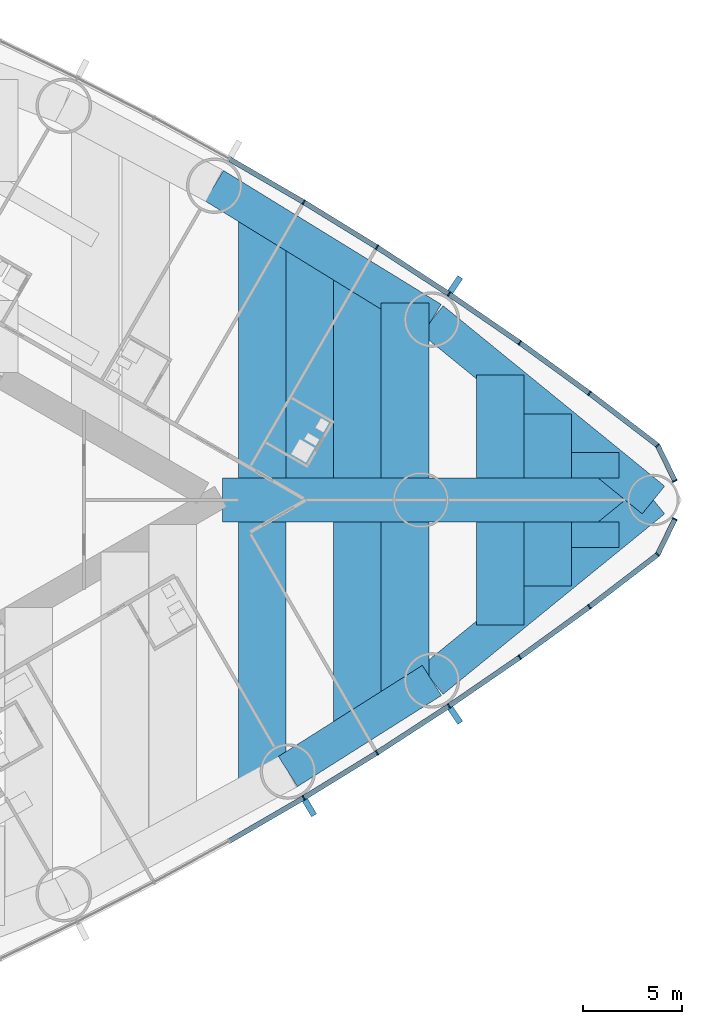
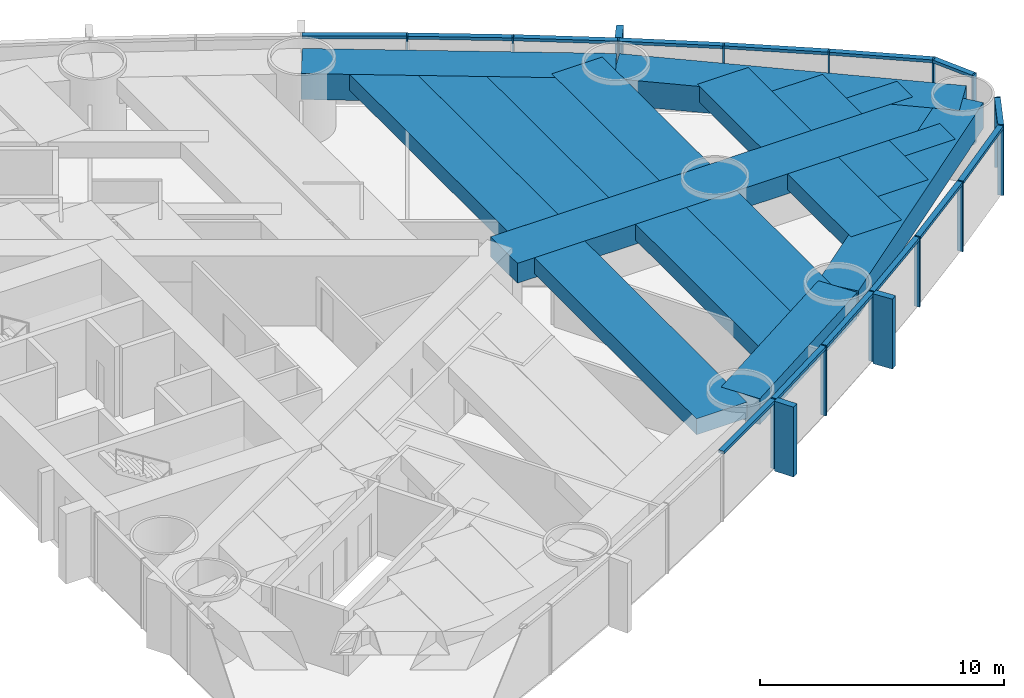
# One storey, part 8 of 19: 31 members, 18 beams, 2 elements without a shape of their own.
"""IFC4 building model written with IfcOpenShell, lengths in metres."""

from ifc_helpers import new_model, si_unit, direction, frame, origin, origin_2d, place, context, subcontext, project, spatial, rectangle, extrude, material, material_profile, profile_set, type_object, element, aggregate, save


model = new_model("IFC4")

# Units and contexts
model_context = context("Model", 3, precision=1e-05, world=origin(), true_north=direction((0.0, 1.0)))
body_context = subcontext(model_context, "Body", "Model", "MODEL_VIEW")
ifc_project = project(units=[si_unit("LENGTHUNIT", "METRE"), si_unit("AREAUNIT", "SQUARE_METRE"), si_unit("VOLUMEUNIT", "CUBIC_METRE"), si_unit("PLANEANGLEUNIT", "RADIAN"), si_unit("MASSUNIT", "GRAM", prefix="KILO")], contexts=[model_context])

# Site, building, storey
site_placement = place(None, origin())
site = spatial("IfcSite", under=ifc_project, at=site_placement, CompositionType="ELEMENT")
building_placement = place(site_placement, origin())
building = spatial("IfcBuilding", under=site, at=building_placement, Name="Lancet Gate Hotel", CompositionType="ELEMENT")
storey_placement = place(building_placement, frame((0.0, 0.0, 70.5)))
storey = spatial("IfcBuildingStorey", under=building, at=storey_placement, Name="L18", CompositionType="ELEMENT", Elevation=70.5)

# Curtain wall, members
ifc_material_1 = material(Name="Aluminium curtain wall", Category="aluminium")
curtain_wall_type = type_object("IfcCurtainWallType", Name="Tower unitised curtain wall", PredefinedType="USERDEFINED", material=ifc_material_1)
curtain_wall_1_placement = place(storey_placement, origin())
curtain_wall_1 = element("IfcCurtainWall", 1, at=curtain_wall_1_placement, inside=storey, type_object=curtain_wall_type, Name="T2 L18 curtain wall 2", ObjectType="UNITISED CURTAIN WALL", PredefinedType="USERDEFINED")
ifc_material_2 = material(Name="Aluminium mullion", Category="aluminium")
ifc_material_profile_1 = material_profile(ifc_material_2, rectangle(XDim=0.06494140625, YDim=0.25, at=origin_2d()), Name="MULLION 65x250")
ifc_profile_set_1 = profile_set([ifc_material_profile_1], Name="Aluminium mullion")
member_type_1 = type_object("IfcMemberType", Name="Aluminium mullion 65x250", PredefinedType="MULLION", material=ifc_profile_set_1)
member_1_placement = place(storey_placement, frame((55.590087890625, -15.03125, 0.0), z_axis=(0.0, 0.0, 1.0), x_axis=(0.858413008828, 0.512959166284, 0.0)))
member_1 = element("IfcMember", 2, at=member_1_placement, type_object=member_type_1, Name="T2 L18 curtain wall 2 mullion 8", PredefinedType="MULLION", context=body_context, shape_type="SweptSolid", body=[
    extrude(rectangle(XDim=0.06494140625, YDim=0.25, at=origin_2d()), origin(), (0.0, 0.0, 1.0), 3.5),
])
member_2_placement = place(storey_placement, frame((59.28515625, -12.7587890625, 0.0), z_axis=(0.0, 0.0, 1.0), x_axis=(0.845079420983, 0.534640788035, 0.0)))
member_2 = element("IfcMember", 3, at=member_2_placement, type_object=member_type_1, Name="T2 L18 curtain wall 2 mullion 9", PredefinedType="MULLION", context=body_context, shape_type="SweptSolid", body=[
    extrude(rectangle(XDim=0.06494140625, YDim=0.25, at=origin_2d()), origin(), (0.0, 0.0, 1.0), 3.5),
])
member_3_placement = place(storey_placement, frame((62.921142578125, -10.393310546875, 0.0), z_axis=(0.0, 0.0, 1.0), x_axis=(0.831198325377, 0.555976028162, 0.0)))
member_3 = element("IfcMember", 4, at=member_3_placement, type_object=member_type_1, Name="T2 L18 curtain wall 2 mullion 10", PredefinedType="MULLION", context=body_context, shape_type="SweptSolid", body=[
    extrude(rectangle(XDim=0.06494140625, YDim=0.25, at=origin_2d()), origin(), (0.0, 0.0, 1.0), 3.5),
])
member_4_placement = place(storey_placement, frame((66.49560546875, -7.935791015625, 0.0), z_axis=(0.0, 0.0, 1.0), x_axis=(0.816778715254, 0.576951064049, 0.0)))
member_4 = element("IfcMember", 5, at=member_4_placement, type_object=member_type_1, Name="T2 L18 curtain wall 2 mullion 11", PredefinedType="MULLION", context=body_context, shape_type="SweptSolid", body=[
    extrude(rectangle(XDim=0.06494140625, YDim=0.25, at=origin_2d()), origin(), (0.0, 0.0, 1.0), 3.5),
])
member_5_placement = place(storey_placement, frame((70.00634765625, -5.388427734375, 0.0), z_axis=(0.0, 0.0, 1.0), x_axis=(0.801829932754, 0.597552306447, 0.0)))
member_5 = element("IfcMember", 6, at=member_5_placement, type_object=member_type_1, Name="T2 L18 curtain wall 2 mullion 12", PredefinedType="MULLION", context=body_context, shape_type="SweptSolid", body=[
    extrude(rectangle(XDim=0.06494140625, YDim=0.25, at=origin_2d()), origin(), (0.0, 0.0, 1.0), 3.5),
])
member_6_placement = place(storey_placement, frame((73.451416015625, -2.752197265625, 0.0), z_axis=(0.0, 0.0, 1.0), x_axis=(0.697983022443, 0.716114306784, 0.0)))
member_6 = element("IfcMember", 7, at=member_6_placement, type_object=member_type_1, Name="T2 L18 curtain wall 2 mullion 13", PredefinedType="MULLION", context=body_context, shape_type="SweptSolid", body=[
    extrude(rectangle(XDim=0.06494140625, YDim=0.25, at=origin_2d()), origin(), (0.0, 0.0, 1.0), 3.5),
])
member_7_placement = place(storey_placement, frame((74.322265625, -0.96044921875, 0.0), z_axis=(0.0, 0.0, 1.0), x_axis=(0.437169070119, 0.899379343843, 0.0)))
member_7 = element("IfcMember", 8, at=member_7_placement, type_object=member_type_1, Name="T2 L18 curtain wall 2 mullion 14", PredefinedType="MULLION", context=body_context, shape_type="SweptSolid", body=[
    extrude(rectangle(XDim=0.06494140625, YDim=0.25, at=origin_2d()), origin(), (0.0, 0.0, 1.0), 3.5),
])

curtain_wall_2_placement = place(storey_placement, origin())
curtain_wall_2 = element("IfcCurtainWall", 9, at=curtain_wall_2_placement, inside=storey, type_object=curtain_wall_type, Name="T2 L18 curtain wall 3", ObjectType="UNITISED CURTAIN WALL", PredefinedType="USERDEFINED")
member_8_placement = place(storey_placement, frame((74.322265625, 0.96044921875, 0.0), z_axis=(0.0, 0.0, 1.0), x_axis=(-0.437169070119, 0.899379343843, 0.0)))
member_8 = element("IfcMember", 10, at=member_8_placement, type_object=member_type_1, Name="T2 L18 curtain wall 3 mullion 1", PredefinedType="MULLION", context=body_context, shape_type="SweptSolid", body=[
    extrude(rectangle(XDim=0.06494140625, YDim=0.25, at=origin_2d()), origin(), (0.0, 0.0, 1.0), 3.5),
])
member_9_placement = place(storey_placement, frame((73.451416015625, 2.752197265625, 0.0), z_axis=(0.0, 0.0, 1.0), x_axis=(-0.697983022443, 0.716114306784, 0.0)))
member_9 = element("IfcMember", 11, at=member_9_placement, type_object=member_type_1, Name="T2 L18 curtain wall 3 mullion 2", PredefinedType="MULLION", context=body_context, shape_type="SweptSolid", body=[
    extrude(rectangle(XDim=0.06494140625, YDim=0.25, at=origin_2d()), origin(), (0.0, 0.0, 1.0), 3.5),
])
member_10_placement = place(storey_placement, frame((70.00634765625, 5.388427734375, 0.0), z_axis=(0.0, 0.0, 1.0), x_axis=(-0.801829932754, 0.597552306447, 0.0)))
member_10 = element("IfcMember", 12, at=member_10_placement, type_object=member_type_1, Name="T2 L18 curtain wall 3 mullion 3", PredefinedType="MULLION", context=body_context, shape_type="SweptSolid", body=[
    extrude(rectangle(XDim=0.06494140625, YDim=0.25, at=origin_2d()), origin(), (0.0, 0.0, 1.0), 3.5),
])
member_11_placement = place(storey_placement, frame((66.49560546875, 7.935791015625, 0.0), z_axis=(0.0, 0.0, 1.0), x_axis=(-0.816778715254, 0.576951064049, 0.0)))
member_11 = element("IfcMember", 13, at=member_11_placement, type_object=member_type_1, Name="T2 L18 curtain wall 3 mullion 4", PredefinedType="MULLION", context=body_context, shape_type="SweptSolid", body=[
    extrude(rectangle(XDim=0.06494140625, YDim=0.25, at=origin_2d()), origin(), (0.0, 0.0, 1.0), 3.5),
])
member_12_placement = place(storey_placement, frame((62.921142578125, 10.393310546875, 0.0), z_axis=(0.0, 0.0, 1.0), x_axis=(-0.831198325377, 0.555976028162, 0.0)))
member_12 = element("IfcMember", 14, at=member_12_placement, type_object=member_type_1, Name="T2 L18 curtain wall 3 mullion 5", PredefinedType="MULLION", context=body_context, shape_type="SweptSolid", body=[
    extrude(rectangle(XDim=0.06494140625, YDim=0.25, at=origin_2d()), origin(), (0.0, 0.0, 1.0), 3.5),
])
member_13_placement = place(storey_placement, frame((59.28515625, 12.7587890625, 0.0), z_axis=(0.0, 0.0, 1.0), x_axis=(-0.845079420983, 0.534640788035, 0.0)))
member_13 = element("IfcMember", 15, at=member_13_placement, type_object=member_type_1, Name="T2 L18 curtain wall 3 mullion 6", PredefinedType="MULLION", context=body_context, shape_type="SweptSolid", body=[
    extrude(rectangle(XDim=0.06494140625, YDim=0.25, at=origin_2d()), origin(), (0.0, 0.0, 1.0), 3.5),
])
member_14_placement = place(storey_placement, frame((55.590087890625, 15.03125, 0.0), z_axis=(0.0, 0.0, 1.0), x_axis=(-0.858413008828, 0.512959166284, 0.0)))
member_14 = element("IfcMember", 16, at=member_14_placement, type_object=member_type_1, Name="T2 L18 curtain wall 3 mullion 7", PredefinedType="MULLION", context=body_context, shape_type="SweptSolid", body=[
    extrude(rectangle(XDim=0.06494140625, YDim=0.25, at=origin_2d()), origin(), (0.0, 0.0, 1.0), 3.5),
])

# Member
ifc_material_3 = material(Name="Aluminium transom", Category="aluminium")
ifc_material_profile_2 = material_profile(ifc_material_3, rectangle(XDim=0.25, YDim=0.14990234375, at=origin_2d()), Name="TRANSOM 250x150")
ifc_profile_set_2 = profile_set([ifc_material_profile_2], Name="Aluminium transom")
member_type_2 = type_object("IfcMemberType", Name="Aluminium transom 250x150", PredefinedType="USERDEFINED", material=ifc_profile_set_2)
member_15_placement = place(storey_placement, frame((51.86669921875, -17.1923828125, 3.425048828125), z_axis=(0.864854571156, 0.502022480324, 0.0), x_axis=(-0.502022480324, 0.864854571156, 0.0)))
member_15 = element("IfcMember", 17, at=member_15_placement, type_object=member_type_2, Name="T2 L18 curtain wall 2 transom 7", ObjectType="TRANSOM", PredefinedType="USERDEFINED", context=body_context, shape_type="SweptSolid", body=[
    extrude(rectangle(XDim=0.25, YDim=0.14990234375, at=origin_2d()), origin(), (0.0, 0.0, 1.0), 4.272705078125),
])

member_16_placement = place(storey_placement, frame((55.617919921875, -15.01416015625, 3.425048828125), z_axis=(0.851815224451, 0.523842365023, 0.0), x_axis=(-0.523842365023, 0.851815224451, 0.0)))
member_16 = element("IfcMember", 18, at=member_16_placement, type_object=member_type_2, Name="T2 L18 curtain wall 2 transom 8", ObjectType="TRANSOM", PredefinedType="USERDEFINED", context=body_context, shape_type="SweptSolid", body=[
    extrude(rectangle(XDim=0.25, YDim=0.14990234375, at=origin_2d()), origin(), (0.0, 0.0, 1.0), 4.272705078125),
])

member_17_placement = place(storey_placement, frame((59.3125, -12.7412109375, 3.425048828125), z_axis=(0.83817850664, 0.545395994674, 0.0), x_axis=(-0.545395994674, 0.83817850664, 0.0)))
member_17 = element("IfcMember", 19, at=member_17_placement, type_object=member_type_2, Name="T2 L18 curtain wall 2 transom 9", ObjectType="TRANSOM", PredefinedType="USERDEFINED", context=body_context, shape_type="SweptSolid", body=[
    extrude(rectangle(XDim=0.25, YDim=0.14990234375, at=origin_2d()), origin(), (0.0, 0.0, 1.0), 4.272705078125),
])

member_18_placement = place(storey_placement, frame((62.94775390625, -10.374755859375, 3.425048828125), z_axis=(0.824071932869, 0.566485171437, 0.0), x_axis=(-0.566485171437, 0.824071932869, 0.0)))
member_18 = element("IfcMember", 20, at=member_18_placement, type_object=member_type_2, Name="T2 L18 curtain wall 2 transom 10", ObjectType="TRANSOM", PredefinedType="USERDEFINED", context=body_context, shape_type="SweptSolid", body=[
    extrude(rectangle(XDim=0.25, YDim=0.14990234375, at=origin_2d()), origin(), (0.0, 0.0, 1.0), 4.272705078125),
])

member_19_placement = place(storey_placement, frame((66.52197265625, -7.916748046875, 3.425048828125), z_axis=(0.809382971085, 0.587281198505, 0.0), x_axis=(-0.587281198505, 0.809382971085, 0.0)))
member_19 = element("IfcMember", 21, at=member_19_placement, type_object=member_type_2, Name="T2 L18 curtain wall 2 transom 11", ObjectType="TRANSOM", PredefinedType="USERDEFINED", context=body_context, shape_type="SweptSolid", body=[
    extrude(rectangle(XDim=0.25, YDim=0.14990234375, at=origin_2d()), origin(), (0.0, 0.0, 1.0), 4.272705078125),
])

member_20_placement = place(storey_placement, frame((70.0322265625, -5.36865234375, 3.425048828125), z_axis=(0.794155062652, 0.607715177089, 0.0), x_axis=(-0.607715177089, 0.794155062652, 0.0)))
member_20 = element("IfcMember", 22, at=member_20_placement, type_object=member_type_2, Name="T2 L18 curtain wall 2 transom 12", ObjectType="TRANSOM", PredefinedType="USERDEFINED", context=body_context, shape_type="SweptSolid", body=[
    extrude(rectangle(XDim=0.25, YDim=0.14990234375, at=origin_2d()), origin(), (0.0, 0.0, 1.0), 4.27294921875),
])

member_21_placement = place(storey_placement, frame((73.465576171875, -2.72314453125, 3.425048828125), z_axis=(0.437103060611, 0.899411426659, 0.0), x_axis=(-0.899411426659, 0.437103060611, 0.0)))
member_21 = element("IfcMember", 23, at=member_21_placement, type_object=member_type_2, Name="T2 L18 curtain wall 2 transom 13", ObjectType="TRANSOM", PredefinedType="USERDEFINED", context=body_context, shape_type="SweptSolid", body=[
    extrude(rectangle(XDim=0.25, YDim=0.14990234375, at=origin_2d()), origin(), (0.0, 0.0, 1.0), 1.927490234375),
])

member_22_placement = place(storey_placement, frame((74.30810546875, 0.989501953125, 3.425048828125), z_axis=(-0.437103060611, 0.899411426659, 0.0), x_axis=(-0.899411426659, -0.437103060611, 0.0)))
member_22 = element("IfcMember", 24, at=member_22_placement, type_object=member_type_2, Name="T2 L18 curtain wall 3 transom 1", ObjectType="TRANSOM", PredefinedType="USERDEFINED", context=body_context, shape_type="SweptSolid", body=[
    extrude(rectangle(XDim=0.25, YDim=0.14990234375, at=origin_2d()), origin(), (0.0, 0.0, 1.0), 1.927490234375),
])

member_23_placement = place(storey_placement, frame((73.425537109375, 2.77197265625, 3.425048828125), z_axis=(-0.794155062652, 0.607715177089, 0.0), x_axis=(-0.607715177089, -0.794155062652, 0.0)))
member_23 = element("IfcMember", 25, at=member_23_placement, type_object=member_type_2, Name="T2 L18 curtain wall 3 transom 2", ObjectType="TRANSOM", PredefinedType="USERDEFINED", context=body_context, shape_type="SweptSolid", body=[
    extrude(rectangle(XDim=0.25, YDim=0.14990234375, at=origin_2d()), origin(), (0.0, 0.0, 1.0), 4.27294921875),
])

member_24_placement = place(storey_placement, frame((69.980224609375, 5.407470703125, 3.425048828125), z_axis=(-0.809382971085, 0.587281198505, 0.0), x_axis=(-0.587281198505, -0.809382971085, 0.0)))
member_24 = element("IfcMember", 26, at=member_24_placement, type_object=member_type_2, Name="T2 L18 curtain wall 3 transom 3", ObjectType="TRANSOM", PredefinedType="USERDEFINED", context=body_context, shape_type="SweptSolid", body=[
    extrude(rectangle(XDim=0.25, YDim=0.14990234375, at=origin_2d()), origin(), (0.0, 0.0, 1.0), 4.272705078125),
])

member_25_placement = place(storey_placement, frame((66.46875, 7.954345703125, 3.425048828125), z_axis=(-0.824071932869, 0.566485171437, 0.0), x_axis=(-0.566485171437, -0.824071932869, 0.0)))
member_25 = element("IfcMember", 27, at=member_25_placement, type_object=member_type_2, Name="T2 L18 curtain wall 3 transom 4", ObjectType="TRANSOM", PredefinedType="USERDEFINED", context=body_context, shape_type="SweptSolid", body=[
    extrude(rectangle(XDim=0.25, YDim=0.14990234375, at=origin_2d()), origin(), (0.0, 0.0, 1.0), 4.272705078125),
])

member_26_placement = place(storey_placement, frame((62.893798828125, 10.410888671875, 3.425048828125), z_axis=(-0.83817850664, 0.545395994674, 0.0), x_axis=(-0.545395994674, -0.83817850664, 0.0)))
member_26 = element("IfcMember", 28, at=member_26_placement, type_object=member_type_2, Name="T2 L18 curtain wall 3 transom 5", ObjectType="TRANSOM", PredefinedType="USERDEFINED", context=body_context, shape_type="SweptSolid", body=[
    extrude(rectangle(XDim=0.25, YDim=0.14990234375, at=origin_2d()), origin(), (0.0, 0.0, 1.0), 4.272705078125),
])

member_27_placement = place(storey_placement, frame((59.257568359375, 12.77587890625, 3.425048828125), z_axis=(-0.851815224451, 0.523842365023, 0.0), x_axis=(-0.523842365023, -0.851815224451, 0.0)))
member_27 = element("IfcMember", 29, at=member_27_placement, type_object=member_type_2, Name="T2 L18 curtain wall 3 transom 6", ObjectType="TRANSOM", PredefinedType="USERDEFINED", context=body_context, shape_type="SweptSolid", body=[
    extrude(rectangle(XDim=0.25, YDim=0.14990234375, at=origin_2d()), origin(), (0.0, 0.0, 1.0), 4.272705078125),
])

member_28_placement = place(storey_placement, frame((55.56201171875, 15.04736328125, 3.425048828125), z_axis=(-0.864854571156, 0.502022480324, 0.0), x_axis=(-0.502022480324, -0.864854571156, 0.0)))
member_28 = element("IfcMember", 30, at=member_28_placement, type_object=member_type_2, Name="T2 L18 curtain wall 3 transom 7", ObjectType="TRANSOM", PredefinedType="USERDEFINED", context=body_context, shape_type="SweptSolid", body=[
    extrude(rectangle(XDim=0.25, YDim=0.14990234375, at=origin_2d()), origin(), (0.0, 0.0, 1.0), 4.272705078125),
])

# Beams
ifc_material_4 = material(Name="Concrete C50/60", Category="concrete")
ifc_material_profile_3 = material_profile(ifc_material_4, rectangle(XDim=1.800048828125, YDim=1.300048828125, at=origin_2d()), Name="RC 1800x1300")
ifc_profile_set_3 = profile_set([ifc_material_profile_3], Name="Concrete C50/60")
beam_type_1 = type_object("IfcBeamType", Name="Edge beam RC 1800x1300", PredefinedType="SPANDREL", material=ifc_profile_set_3)
beam_1_placement = place(storey_placement, frame((54.795166015625, -13.70068359375, 2.60009765625), z_axis=(0.845078312276, 0.534642540508, 0.0), x_axis=(-0.534642540508, 0.845078312276, 0.0)))
element("IfcBeam", 31, at=beam_1_placement, inside=storey, type_object=beam_type_1, Name="T2 edge beam EB1 L18", PredefinedType="SPANDREL", context=body_context, shape_type="SweptSolid", body=[
    extrude(rectangle(XDim=1.800048828125, YDim=1.300048828125, at=origin_2d()), origin(), (0.0, 0.0, 1.0), 8.595947265625),
])
for number, where, z_axis, x_axis, name in (
    (32, (62.059326171875, -9.10498046875, 2.60009765625), (0.775390970005, 0.631481467372, 0.0), (-0.631481467372, 0.775390970005, 0.0), "T2 edge beam EB1 L18"),
    (33, (73.2392578125, 0.0, 2.60009765625), (-0.775390970005, 0.631481467372, 0.0), (-0.631481467372, -0.775390970005, 0.0), "T2 edge beam EB1 L18"),
):
    element("IfcBeam", number, at=place(storey_placement, frame(where, z_axis=z_axis, x_axis=x_axis)), inside=storey, type_object=beam_type_1, Name=name, PredefinedType="SPANDREL", context=body_context, shape_type="SweptSolid", body=[
        extrude(rectangle(XDim=1.800048828125, YDim=1.300048828125, at=origin_2d()), origin(), (0.0, 0.0, 1.0), 14.41845703125),
    ])
beam_2_placement = place(storey_placement, frame((62.059326171875, 9.10498046875, 2.60009765625), z_axis=(-0.851815628025, 0.523841708775, 0.0), x_axis=(-0.523841708775, -0.851815628025, 0.0)))
element("IfcBeam", 34, at=beam_2_placement, inside=storey, type_object=beam_type_1, Name="T2 edge beam EB1 L18", PredefinedType="SPANDREL", context=body_context, shape_type="SweptSolid", body=[
    extrude(rectangle(XDim=1.800048828125, YDim=1.300048828125, at=origin_2d()), origin(), (0.0, 0.0, 1.0), 12.89208984375),
])

# Member
ifc_material_5 = material(Name="Precast concrete C50/60", Category="concrete")
ifc_material_profile_4 = material_profile(ifc_material_5, rectangle(XDim=0.300048828125, YDim=0.89990234375, at=origin_2d()), Name="FIN 300x900")
ifc_profile_set_4 = profile_set([ifc_material_profile_4], Name="Precast concrete C50/60")
member_type_3 = type_object("IfcMemberType", Name="Exposed concrete fin 300x900", PredefinedType="USERDEFINED", material=ifc_profile_set_4)
member_29_placement = place(storey_placement, frame((55.88525390625, -15.524658203125, 0.0), z_axis=(0.0, 0.0, 1.0), x_axis=(0.858413008828, 0.512959166284, 0.0)))
member_29 = element("IfcMember", 35, at=member_29_placement, type_object=member_type_3, Name="T2 L18 curtain wall 2 fin 8", ObjectType="FIN", PredefinedType="USERDEFINED", context=body_context, shape_type="SweptSolid", body=[
    extrude(rectangle(XDim=0.300048828125, YDim=0.89990234375, at=origin_2d()), origin(), (0.0, 0.0, 1.0), 3.5),
])

member_30_placement = place(storey_placement, frame((63.24072265625, -10.87109375, 0.0), z_axis=(0.0, 0.0, 1.0), x_axis=(0.831198325377, 0.555976028162, 0.0)))
member_30 = element("IfcMember", 36, at=member_30_placement, type_object=member_type_3, Name="T2 L18 curtain wall 2 fin 10", ObjectType="FIN", PredefinedType="USERDEFINED", context=body_context, shape_type="SweptSolid", body=[
    extrude(rectangle(XDim=0.300048828125, YDim=0.89990234375, at=origin_2d()), origin(), (0.0, 0.0, 1.0), 3.5),
])

aggregate(curtain_wall_1, [member_1, member_29, member_2, member_3, member_30, member_4, member_5, member_6, member_7, member_15, member_16, member_17, member_18, member_19, member_20, member_21])

member_31_placement = place(storey_placement, frame((63.24072265625, 10.87109375, 0.0), z_axis=(0.0, 0.0, 1.0), x_axis=(-0.831198325377, 0.555976028162, 0.0)))
member_31 = element("IfcMember", 37, at=member_31_placement, type_object=member_type_3, Name="T2 L18 curtain wall 3 fin 5", ObjectType="FIN", PredefinedType="USERDEFINED", context=body_context, shape_type="SweptSolid", body=[
    extrude(rectangle(XDim=0.300048828125, YDim=0.89990234375, at=origin_2d()), origin(), (0.0, 0.0, 1.0), 3.5),
])

aggregate(curtain_wall_2, [member_8, member_9, member_10, member_11, member_12, member_31, member_13, member_14, member_22, member_23, member_24, member_25, member_26, member_27, member_28])

# Beams
ifc_material_6 = material(Name="Concrete C50/60", Category="concrete")
ifc_material_profile_5 = material_profile(ifc_material_6, rectangle(XDim=2.39990234375, YDim=0.800048828125, at=origin_2d()), Name="RC 2400x800")
ifc_profile_set_5 = profile_set([ifc_material_profile_5], Name="Concrete C50/60")
beam_type_2 = type_object("IfcBeamType", Name="Floor beam RC 2400x800", PredefinedType="BEAM", material=ifc_profile_set_5)
beam_3_placement = place(storey_placement, frame((53.502197265625, -14.40771484375, 2.85009765625), z_axis=(0.0, 1.0, 0.0), x_axis=(-1.0, 0.0, 0.0)))
element("IfcBeam", 38, at=beam_3_placement, inside=storey, type_object=beam_type_2, Name="T2 floor beam F16S L18", PredefinedType="BEAM", context=body_context, shape_type="SweptSolid", body=[
    extrude(rectangle(XDim=2.39990234375, YDim=0.800048828125, at=origin_2d()), origin(), (0.0, 0.0, 1.0), 13.3076171875),
])
beam_4_placement = place(storey_placement, frame((53.502197265625, 1.10009765625, 2.85009765625), z_axis=(0.0, 1.0, 0.0), x_axis=(-1.0, 0.0, 0.0)))
element("IfcBeam", 39, at=beam_4_placement, inside=storey, type_object=beam_type_2, Name="T2 floor beam F17N L18", PredefinedType="BEAM", context=body_context, shape_type="SweptSolid", body=[
    extrude(rectangle(XDim=2.39990234375, YDim=0.800048828125, at=origin_2d()), origin(), (0.0, 0.0, 1.0), 13.26708984375),
])
beam_5_placement = place(storey_placement, frame((55.90234375, 1.10009765625, 2.85009765625), z_axis=(0.0, 1.0, 0.0), x_axis=(-1.0, 0.0, 0.0)))
element("IfcBeam", 40, at=beam_5_placement, inside=storey, type_object=beam_type_2, Name="T2 floor beam F18N L18", PredefinedType="BEAM", context=body_context, shape_type="SweptSolid", body=[
    extrude(rectangle(XDim=2.39990234375, YDim=0.800048828125, at=origin_2d()), origin(), (0.0, 0.0, 1.0), 11.791259765625),
])
beam_6_placement = place(storey_placement, frame((58.30224609375, -11.48193359375, 2.85009765625), z_axis=(0.0, 1.0, 0.0), x_axis=(-1.0, 0.0, 0.0)))
element("IfcBeam", 41, at=beam_6_placement, inside=storey, type_object=beam_type_2, Name="T2 floor beam F19S L18", PredefinedType="BEAM", context=body_context, shape_type="SweptSolid", body=[
    extrude(rectangle(XDim=2.39990234375, YDim=0.800048828125, at=origin_2d()), origin(), (0.0, 0.0, 1.0), 10.3818359375),
])
beam_7_placement = place(storey_placement, frame((58.30224609375, 1.10009765625, 2.85009765625), z_axis=(0.0, 1.0, 0.0), x_axis=(-1.0, 0.0, 0.0)))
element("IfcBeam", 42, at=beam_7_placement, inside=storey, type_object=beam_type_2, Name="T2 floor beam F20N L18", PredefinedType="BEAM", context=body_context, shape_type="SweptSolid", body=[
    extrude(rectangle(XDim=2.39990234375, YDim=0.800048828125, at=origin_2d()), origin(), (0.0, 0.0, 1.0), 10.3154296875),
])
beam_8_placement = place(storey_placement, frame((60.7021484375, -9.96337890625, 2.85009765625), z_axis=(0.0, 1.0, 0.0), x_axis=(-1.0, 0.0, 0.0)))
element("IfcBeam", 43, at=beam_8_placement, inside=storey, type_object=beam_type_2, Name="T2 floor beam F21S L18", PredefinedType="BEAM", context=body_context, shape_type="SweptSolid", body=[
    extrude(rectangle(XDim=2.39990234375, YDim=0.800048828125, at=origin_2d()), origin(), (0.0, 0.0, 1.0), 8.86328125),
])
beam_9_placement = place(storey_placement, frame((60.7021484375, 1.10009765625, 2.85009765625), z_axis=(0.0, 1.0, 0.0), x_axis=(-1.0, 0.0, 0.0)))
element("IfcBeam", 44, at=beam_9_placement, inside=storey, type_object=beam_type_2, Name="T2 floor beam F22N L18", PredefinedType="BEAM", context=body_context, shape_type="SweptSolid", body=[
    extrude(rectangle(XDim=2.39990234375, YDim=0.800048828125, at=origin_2d()), origin(), (0.0, 0.0, 1.0), 8.83935546875),
])
for number, where, z_axis, x_axis, name in (
    (45, (65.502197265625, -6.301025390625, 2.85009765625), (0.0, 1.0, 0.0), (-1.0, 0.0, 0.0), "T2 floor beam F23S L18"),
    (46, (65.502197265625, 1.10009765625, 2.85009765625), (0.0, 1.0, 0.0), (-1.0, 0.0, 0.0), "T2 floor beam F24N L18"),
):
    element("IfcBeam", number, at=place(storey_placement, frame(where, z_axis=z_axis, x_axis=x_axis)), inside=storey, type_object=beam_type_2, Name=name, PredefinedType="BEAM", context=body_context, shape_type="SweptSolid", body=[
        extrude(rectangle(XDim=2.39990234375, YDim=0.800048828125, at=origin_2d()), origin(), (0.0, 0.0, 1.0), 5.200927734375),
    ])
for number, where, z_axis, x_axis, name in (
    (47, (67.90234375, -4.346435546875, 2.85009765625), (0.0, 1.0, 0.0), (-1.0, 0.0, 0.0), "T2 floor beam F25S L18"),
    (48, (67.90234375, 1.10009765625, 2.85009765625), (0.0, 1.0, 0.0), (-1.0, 0.0, 0.0), "T2 floor beam F26N L18"),
):
    element("IfcBeam", number, at=place(storey_placement, frame(where, z_axis=z_axis, x_axis=x_axis)), inside=storey, type_object=beam_type_2, Name=name, PredefinedType="BEAM", context=body_context, shape_type="SweptSolid", body=[
        extrude(rectangle(XDim=2.39990234375, YDim=0.800048828125, at=origin_2d()), origin(), (0.0, 0.0, 1.0), 3.246337890625),
    ])
for number, where, z_axis, x_axis, name in (
    (49, (70.30224609375, -2.391845703125, 2.85009765625), (0.0, 1.0, 0.0), (-1.0, 0.0, 0.0), "T2 floor beam F27S L18"),
    (50, (70.30224609375, 1.10009765625, 2.85009765625), (0.0, 1.0, 0.0), (-1.0, 0.0, 0.0), "T2 floor beam F28N L18"),
):
    element("IfcBeam", number, at=place(storey_placement, frame(where, z_axis=z_axis, x_axis=x_axis)), inside=storey, type_object=beam_type_2, Name=name, PredefinedType="BEAM", context=body_context, shape_type="SweptSolid", body=[
        extrude(rectangle(XDim=2.39990234375, YDim=0.800048828125, at=origin_2d()), origin(), (0.0, 0.0, 1.0), 1.291748046875),
    ])
ifc_material_7 = material(Name="Concrete C50/60", Category="concrete")
ifc_material_profile_6 = material_profile(ifc_material_7, rectangle(XDim=2.199951171875, YDim=1.0, at=origin_2d()), Name="RC 2200x1000")
ifc_profile_set_6 = profile_set([ifc_material_profile_6], Name="Concrete C50/60")
beam_type_3 = type_object("IfcBeamType", Name="Radial floor beam RC 2200x1000", PredefinedType="BEAM", material=ifc_profile_set_6)
beam_10_placement = place(storey_placement, frame((73.2392578125, 0.0, 2.75), z_axis=(-1.0, 0.0, 0.0), x_axis=(0.0, -1.0, 0.0)))
element("IfcBeam", 51, at=beam_10_placement, inside=storey, type_object=beam_type_3, Name="T2 radial beam CA L18", PredefinedType="BEAM", context=body_context, shape_type="SweptSolid", body=[
    extrude(rectangle(XDim=2.199951171875, YDim=1.0, at=origin_2d()), origin(), (0.0, 0.0, 1.0), 21.737060546875),
])

save(model, "model.ifc")
